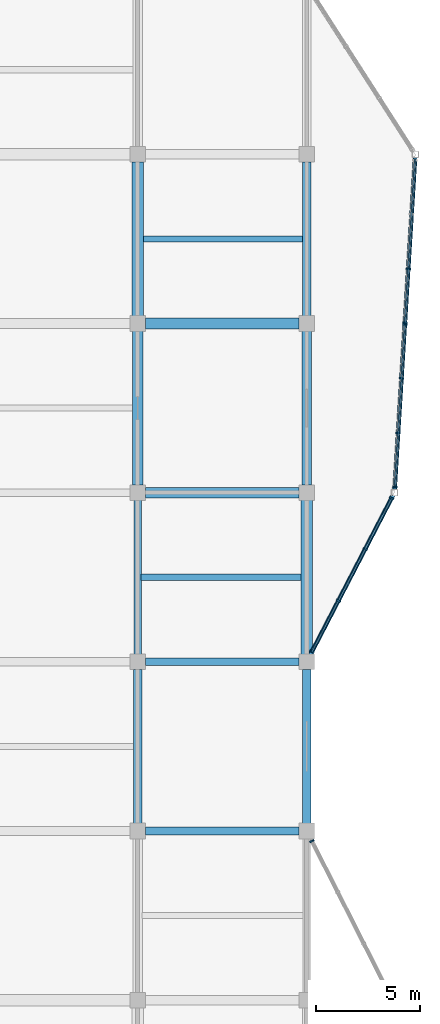
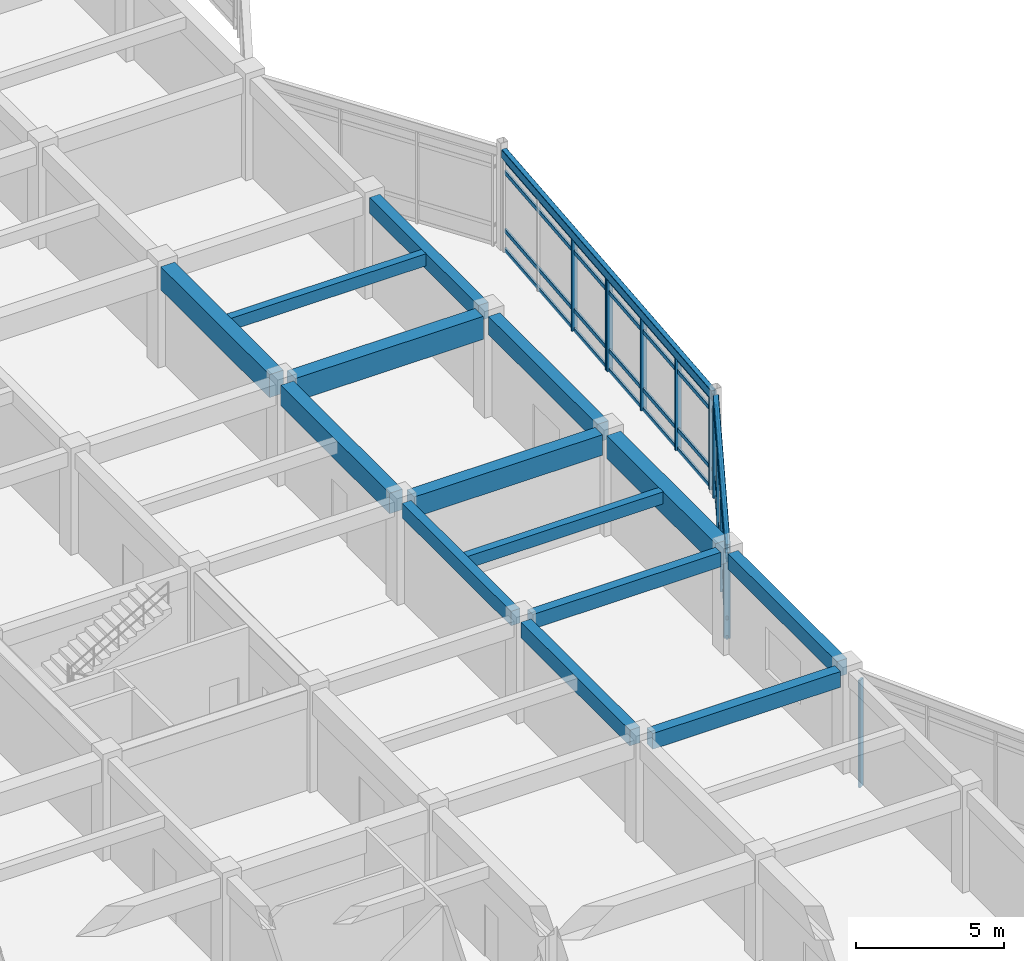
# One storey, part 30 of 70: 23 members, 16 beams, 4 elements without a shape of their own.
"""IFC4 building model written with IfcOpenShell, lengths in metres."""

from ifc_helpers import new_model, si_unit, direction, frame, origin, origin_2d, place, context, subcontext, project, spatial, rectangle, hollow_rectangle, extrude, material, layer, layer_set, material_profile, profile_set, type_object, element, aggregate, save


model = new_model("IFC4")

# Units and contexts
model_context = context("Model", 3, precision=1e-05, world=origin(), true_north=direction((0.0, 1.0)))
body_context = subcontext(model_context, "Body", "Model", "MODEL_VIEW")
ifc_project = project(units=[si_unit("LENGTHUNIT", "METRE"), si_unit("AREAUNIT", "SQUARE_METRE"), si_unit("VOLUMEUNIT", "CUBIC_METRE"), si_unit("PLANEANGLEUNIT", "RADIAN"), si_unit("MASSUNIT", "GRAM", prefix="KILO")], contexts=[model_context])

# Site, building, storey
site_placement = place(None, origin())
site = spatial("IfcSite", under=ifc_project, at=site_placement, CompositionType="ELEMENT")
building_placement = place(site_placement, origin())
building = spatial("IfcBuilding", under=site, at=building_placement, Name="Vaudrelin Polytechnic", CompositionType="ELEMENT")
storey_placement = place(building_placement, frame((0.0, 0.0, 14.110107421875)))
storey = spatial("IfcBuildingStorey", under=building, at=storey_placement, Name="L03", CompositionType="ELEMENT", Elevation=14.110107421875)

# Beams
ifc_material_1 = material(Name="Concrete 40 MPa", Category="concrete")
ifc_material_profile_1 = material_profile(ifc_material_1, rectangle(XDim=0.35009765625, YDim=0.60009765625, at=origin_2d()), Name="RC350x600")
ifc_profile_set_1 = profile_set([ifc_material_profile_1], Name="Concrete 40 MPa")
beam_type_1 = type_object("IfcBeamType", Name="BM-BM-RC3560", PredefinedType="BEAM", material=ifc_profile_set_1)
beam_1_placement = place(storey_placement, frame((162.0, 65.159912109375, 3.85986328125), z_axis=(0.0, 1.0, 0.0), x_axis=(-1.0, 0.0, 0.0)))
element("IfcBeam", 1, at=beam_1_placement, inside=storey, type_object=beam_type_1, Name="L03 Y-beam 21-9", PredefinedType="BEAM", context=body_context, shape_type="SweptSolid", body=[
    extrude(rectangle(XDim=0.35009765625, YDim=0.60009765625, at=origin_2d()), origin(), (0.0, 0.0, 1.0), 7.380126953125),
])
beam_2_placement = place(storey_placement, frame((162.37109375, 64.800048828125, 3.85986328125), z_axis=(1.0, 0.0, 0.0), x_axis=(0.0, 1.0, 0.0)))
element("IfcBeam", 2, at=beam_2_placement, inside=storey, type_object=beam_type_1, Name="L03 X-beam 21-9", PredefinedType="BEAM", context=body_context, shape_type="SweptSolid", body=[
    extrude(rectangle(XDim=0.35009765625, YDim=0.60009765625, at=origin_2d()), origin(), (0.0, 0.0, 1.0), 7.35791015625),
])
ifc_material_profile_2 = material_profile(ifc_material_1, rectangle(XDim=0.39990234375, YDim=0.64990234375, at=origin_2d()), Name="RC400x650")
ifc_profile_set_2 = profile_set([ifc_material_profile_2], Name="Concrete 40 MPa")
beam_type_2 = type_object("IfcBeamType", Name="BM-BM-RC4065", PredefinedType="BEAM", material=ifc_profile_set_2)
for number, where, z_axis, x_axis, name in (
    (3, (162.0, 57.06005859375, 3.8349609375), (0.0, 1.0, 0.0), (-1.0, 0.0, 0.0), "L03 Y-beam 21-8"),
    (4, (170.10009765625, 81.360107421875, 3.8349609375), (0.0, 1.0, 0.0), (-1.0, 0.0, 0.0), "L03 Y-beam 22-11"),
):
    element("IfcBeam", number, at=place(storey_placement, frame(where, z_axis=z_axis, x_axis=x_axis)), inside=storey, type_object=beam_type_2, Name=name, PredefinedType="BEAM", context=body_context, shape_type="SweptSolid", body=[
        extrude(rectangle(XDim=0.39990234375, YDim=0.64990234375, at=origin_2d()), origin(), (0.0, 0.0, 1.0), 7.3798828125),
    ])
beam_3_placement = place(storey_placement, frame((162.37109375, 56.699951171875, 3.8349609375), z_axis=(1.0, 0.0, 0.0), x_axis=(0.0, 1.0, 0.0)))
element("IfcBeam", 5, at=beam_3_placement, inside=storey, type_object=beam_type_2, Name="L03 X-beam 21-8", PredefinedType="BEAM", context=body_context, shape_type="SweptSolid", body=[
    extrude(rectangle(XDim=0.39990234375, YDim=0.64990234375, at=origin_2d()), origin(), (0.0, 0.0, 1.0), 7.35791015625),
])
ifc_material_profile_3 = material_profile(ifc_material_1, rectangle(XDim=0.449951171875, YDim=0.75, at=origin_2d()), Name="RC450x750")
ifc_profile_set_3 = profile_set([ifc_material_profile_3], Name="Concrete 40 MPa")
beam_type_3 = type_object("IfcBeamType", Name="BM-BM-RC4575", PredefinedType="BEAM", material=ifc_profile_set_3)
beam_4_placement = place(storey_placement, frame((170.10009765625, 73.260009765625, 3.784912109375), z_axis=(0.0, 1.0, 0.0), x_axis=(-1.0, 0.0, 0.0)))
element("IfcBeam", 6, at=beam_4_placement, inside=storey, type_object=beam_type_3, Name="L03 Y-beam 22-10", PredefinedType="BEAM", context=body_context, shape_type="SweptSolid", body=[
    extrude(rectangle(XDim=0.449951171875, YDim=0.75, at=origin_2d()), origin(), (0.0, 0.0, 1.0), 7.3798828125),
])
ifc_material_profile_4 = material_profile(ifc_material_1, rectangle(XDim=0.5, YDim=0.85009765625, at=origin_2d()), Name="RC500x850")
ifc_profile_set_4 = profile_set([ifc_material_profile_4], Name="Concrete 40 MPa")
beam_type_4 = type_object("IfcBeamType", Name="BM-BM-RC5085", PredefinedType="BEAM", material=ifc_profile_set_4)
beam_5_placement = place(storey_placement, frame((162.0, 73.260009765625, 3.73486328125), z_axis=(0.0, 1.0, 0.0), x_axis=(-1.0, 0.0, 0.0)))
element("IfcBeam", 7, at=beam_5_placement, inside=storey, type_object=beam_type_4, Name="L03 Y-beam 21-10", PredefinedType="BEAM", context=body_context, shape_type="SweptSolid", body=[
    extrude(rectangle(XDim=0.5, YDim=0.85009765625, at=origin_2d()), origin(), (0.0, 0.0, 1.0), 7.3798828125),
])
beam_6_placement = place(storey_placement, frame((162.37109375, 72.89990234375, 3.73486328125), z_axis=(1.0, 0.0, 0.0), x_axis=(0.0, 1.0, 0.0)))
element("IfcBeam", 8, at=beam_6_placement, inside=storey, type_object=beam_type_4, Name="L03 X-beam 21-10", PredefinedType="BEAM", context=body_context, shape_type="SweptSolid", body=[
    extrude(rectangle(XDim=0.5, YDim=0.85009765625, at=origin_2d()), origin(), (0.0, 0.0, 1.0), 7.35791015625),
])
ifc_material_2 = material(Name="Concrete 50 MPa", Category="concrete")
ifc_material_profile_5 = material_profile(ifc_material_2, rectangle(XDim=0.550048828125, YDim=0.949951171875, at=origin_2d()), Name="RC550x950")
ifc_profile_set_5 = profile_set([ifc_material_profile_5], Name="Concrete 50 MPa")
beam_type_5 = type_object("IfcBeamType", Name="BM-BM-RC5595", PredefinedType="BEAM", material=ifc_profile_set_5)
beam_7_placement = place(storey_placement, frame((162.0, 81.360107421875, 3.684814453125), z_axis=(0.0, 1.0, 0.0), x_axis=(-1.0, 0.0, 0.0)))
element("IfcBeam", 9, at=beam_7_placement, inside=storey, type_object=beam_type_5, Name="L03 Y-beam 21-11", PredefinedType="BEAM", context=body_context, shape_type="SweptSolid", body=[
    extrude(rectangle(XDim=0.550048828125, YDim=0.949951171875, at=origin_2d()), origin(), (0.0, 0.0, 1.0), 7.3798828125),
])
beam_8_placement = place(storey_placement, frame((170.10009765625, 65.159912109375, 3.684814453125), z_axis=(0.0, 1.0, 0.0), x_axis=(-1.0, 0.0, 0.0)))
element("IfcBeam", 10, at=beam_8_placement, inside=storey, type_object=beam_type_5, Name="L03 Y-beam 22-9", PredefinedType="BEAM", context=body_context, shape_type="SweptSolid", body=[
    extrude(rectangle(XDim=0.550048828125, YDim=0.949951171875, at=origin_2d()), origin(), (0.0, 0.0, 1.0), 7.380126953125),
])
beam_9_placement = place(storey_placement, frame((162.37109375, 81.0, 3.684814453125), z_axis=(1.0, 0.0, 0.0), x_axis=(0.0, 1.0, 0.0)))
element("IfcBeam", 11, at=beam_9_placement, inside=storey, type_object=beam_type_5, Name="L03 X-beam 21-11", PredefinedType="BEAM", context=body_context, shape_type="SweptSolid", body=[
    extrude(rectangle(XDim=0.550048828125, YDim=0.949951171875, at=origin_2d()), origin(), (0.0, 0.0, 1.0), 7.35791015625),
])
ifc_material_profile_6 = material_profile(ifc_material_1, rectangle(XDim=0.300048828125, YDim=0.5, at=origin_2d()), Name="RC300x500")
ifc_profile_set_6 = profile_set([ifc_material_profile_6], Name="Concrete 40 MPa")
beam_type_6 = type_object("IfcBeamType", Name="BM-JS-RC3050", PredefinedType="JOIST", material=ifc_profile_set_6)
beam_10_placement = place(storey_placement, frame((162.1708984375, 68.85009765625, 3.909912109375), z_axis=(1.0, 0.0, 0.0), x_axis=(0.0, 1.0, 0.0)))
element("IfcBeam", 12, at=beam_10_placement, inside=storey, type_object=beam_type_6, Name="L03 floor joist 21-9", PredefinedType="JOIST", context=body_context, shape_type="SweptSolid", body=[
    extrude(rectangle(XDim=0.300048828125, YDim=0.5, at=origin_2d()), origin(), (0.0, 0.0, 1.0), 7.658203125),
])
beam_11_placement = place(storey_placement, frame((162.27099609375, 85.050048828125, 3.909912109375), z_axis=(1.0, 0.0, 0.0), x_axis=(0.0, 1.0, 0.0)))
element("IfcBeam", 13, at=beam_11_placement, inside=storey, type_object=beam_type_6, Name="L03 floor joist 21-11", PredefinedType="JOIST", context=body_context, shape_type="SweptSolid", body=[
    extrude(rectangle(XDim=0.300048828125, YDim=0.5, at=origin_2d()), origin(), (0.0, 0.0, 1.0), 7.633056640625),
])
ifc_material_3 = material(Name="Steel CSA G40.21 350WT", Category="steel")
ifc_material_profile_7 = material_profile(ifc_material_3, hollow_rectangle(XDim=0.202880859375, YDim=0.35595703125, WallThickness=0.0126953125, InnerFilletRadius=0.0126953125, OuterFilletRadius=0.025390625, at=origin_2d()), Name="HSS356x203x12.7")
ifc_profile_set_7 = profile_set([ifc_material_profile_7], Name="Steel CSA G40.21 350WT")
beam_type_7 = type_object("IfcBeamType", Name="BM-SP-HSS35", PredefinedType="SPANDREL", material=ifc_profile_set_7)
beam_12_placement = place(storey_placement, frame((170.164306640625, 64.92431640625, 3.98193359375), z_axis=(0.460338114153, 0.887743668329, 0.0), x_axis=(-0.887743668329, 0.460338114153, 0.0)))
element("IfcBeam", 14, at=beam_12_placement, inside=storey, type_object=beam_type_7, Name="Sculptural edge beam L03 E_OR2_B1", PredefinedType="SPANDREL", context=body_context, shape_type="SweptSolid", body=[
    extrude(hollow_rectangle(XDim=0.202880859375, YDim=0.35595703125, WallThickness=0.0126953125, InnerFilletRadius=0.0126953125, OuterFilletRadius=0.025390625, at=origin_2d()), origin(), (0.0, 0.0, 1.0), 8.84423828125),
])
beam_13_placement = place(storey_placement, frame((174.30859375, 73.039794921875, 3.98193359375), z_axis=(0.061621667017, 0.998099579278, 0.0), x_axis=(-0.998099579278, 0.061621667017, 0.0)))
element("IfcBeam", 15, at=beam_13_placement, inside=storey, type_object=beam_type_7, Name="Sculptural edge beam L03 E_OR2_B2", PredefinedType="SPANDREL", context=body_context, shape_type="SweptSolid", body=[
    extrude(hollow_rectangle(XDim=0.202880859375, YDim=0.35595703125, WallThickness=0.0126953125, InnerFilletRadius=0.0126953125, OuterFilletRadius=0.025390625, at=origin_2d()), origin(), (0.0, 0.0, 1.0), 15.95068359375),
])
ifc_material_profile_8 = material_profile(ifc_material_1, rectangle(XDim=0.39990234375, YDim=0.64990234375, at=origin_2d()), Name="RC400x650")
ifc_profile_set_8 = profile_set([ifc_material_profile_8], Name="Concrete 40 MPa")
beam_type_8 = type_object("IfcBeamType", Name="BM-SP-RC4065", PredefinedType="SPANDREL", material=ifc_profile_set_8)
beam_14_placement = place(storey_placement, frame((170.10009765625, 57.06005859375, 3.8349609375), z_axis=(0.0, 1.0, 0.0), x_axis=(-1.0, 0.0, 0.0)))
element("IfcBeam", 16, at=beam_14_placement, inside=storey, type_object=beam_type_8, Name="L03 Y-beam 22-8", PredefinedType="SPANDREL", context=body_context, shape_type="SweptSolid", body=[
    extrude(rectangle(XDim=0.39990234375, YDim=0.64990234375, at=origin_2d()), origin(), (0.0, 0.0, 1.0), 7.3798828125),
])

# Curtain wall, member
ifc_material_4 = material(Name="Thermally broken anodised aluminium AA 6063-T6 and low-e triple glazing", Category="aluminium")
ifc_layer = layer(ifc_material_4, 0.199951171875)
ifc_layer_set = layer_set([ifc_layer], Name="Thermally broken anodised aluminium AA 6063-T6 and low-e triple glazing")
curtain_wall_type = type_object("IfcCurtainWallType", Name="CW-CW-LAB", PredefinedType="USERDEFINED", material=ifc_layer_set)
curtain_wall_1_placement = place(storey_placement, origin())
curtain_wall_1 = element("IfcCurtainWall", 17, at=curtain_wall_1_placement, inside=storey, type_object=curtain_wall_type, Name="Curtain wall L03 E_OR1_3_0", ObjectType="CURTAIN WALL", PredefinedType="USERDEFINED")
ifc_material_5 = material(Name="Anodised aluminium AA 6063-T6", Category="aluminium")
ifc_material_profile_9 = material_profile(ifc_material_5, rectangle(XDim=0.074951171875, YDim=0.219970703125, at=origin_2d()), Name="CWM-75x220")
ifc_profile_set_9 = profile_set([ifc_material_profile_9], Name="Anodised aluminium AA 6063-T6")
member_type_1 = type_object("IfcMemberType", Name="MEM-CWM-220", PredefinedType="MULLION", material=ifc_profile_set_9)
member_1_placement = place(storey_placement, frame((170.34619140625, 56.21337890625, -0.630126953125), z_axis=(0.0, 0.0, 1.0), x_axis=(-0.451608607789, 0.892216153951, 0.0)))
member_1 = element("IfcMember", 18, at=member_1_placement, type_object=member_type_1, Name="E_OR1_3_0 mullion 4", PredefinedType="MULLION", context=body_context, shape_type="SweptSolid", body=[
    extrude(rectangle(XDim=0.074951171875, YDim=0.219970703125, at=origin_2d()), origin(), (0.0, 0.0, 1.0), 4.43994140625),
])
aggregate(curtain_wall_1, [member_1])

# Curtain wall, members
curtain_wall_2_placement = place(storey_placement, origin())
curtain_wall_2 = element("IfcCurtainWall", 19, at=curtain_wall_2_placement, inside=storey, type_object=curtain_wall_type, Name="Curtain wall L03 E_OR2_1_0", ObjectType="CURTAIN WALL", PredefinedType="USERDEFINED")
member_2_placement = place(storey_placement, frame((170.35205078125, 65.285888671875, 0.0), z_axis=(0.0, 0.0, 1.0), x_axis=(0.460318561093, 0.887753807265, 0.0)))
member_2 = element("IfcMember", 20, at=member_2_placement, type_object=member_type_1, Name="E_OR2_1_0 mullion 1", PredefinedType="MULLION", context=body_context, shape_type="SweptSolid", body=[
    extrude(rectangle(XDim=0.074951171875, YDim=0.219970703125, at=origin_2d()), origin(), (0.0, 0.0, 1.0), 3.809814453125),
])
member_3_placement = place(storey_placement, frame((171.6162109375, 67.724365234375, 0.0), z_axis=(0.0, 0.0, 1.0), x_axis=(0.460318561093, 0.887753807265, 0.0)))
member_3 = element("IfcMember", 21, at=member_3_placement, type_object=member_type_1, Name="E_OR2_1_0 mullion 2", PredefinedType="MULLION", context=body_context, shape_type="SweptSolid", body=[
    extrude(rectangle(XDim=0.074951171875, YDim=0.219970703125, at=origin_2d()), origin(), (0.0, 0.0, 1.0), 3.809814453125),
])
member_4_placement = place(storey_placement, frame((172.899169921875, 70.1982421875, 0.0), z_axis=(0.0, 0.0, 1.0), x_axis=(0.460318561093, 0.887753807265, 0.0)))
member_4 = element("IfcMember", 22, at=member_4_placement, type_object=member_type_1, Name="E_OR2_1_0 mullion 3", PredefinedType="MULLION", context=body_context, shape_type="SweptSolid", body=[
    extrude(rectangle(XDim=0.074951171875, YDim=0.219970703125, at=origin_2d()), origin(), (0.0, 0.0, 1.0), 3.809814453125),
])
member_5_placement = place(storey_placement, frame((174.163330078125, 72.636474609375, 0.0), z_axis=(0.0, 0.0, 1.0), x_axis=(0.460318561093, 0.887753807265, 0.0)))
member_5 = element("IfcMember", 23, at=member_5_placement, type_object=member_type_1, Name="E_OR2_1_0 mullion 4", PredefinedType="MULLION", context=body_context, shape_type="SweptSolid", body=[
    extrude(rectangle(XDim=0.074951171875, YDim=0.219970703125, at=origin_2d()), origin(), (0.0, 0.0, 1.0), 3.809814453125),
])

curtain_wall_3_placement = place(storey_placement, origin())
curtain_wall_3 = element("IfcCurtainWall", 24, at=curtain_wall_3_placement, inside=storey, type_object=curtain_wall_type, Name="Curtain wall L03 E_OR2_2_0", ObjectType="CURTAIN WALL", PredefinedType="USERDEFINED")
member_6_placement = place(storey_placement, frame((174.317138671875, 73.17724609375, 0.0), z_axis=(0.0, 0.0, 1.0), x_axis=(0.061604568165, 0.998100634797, 0.0)))
member_6 = element("IfcMember", 25, at=member_6_placement, type_object=member_type_1, Name="E_OR2_2_0 mullion 1", PredefinedType="MULLION", context=body_context, shape_type="SweptSolid", body=[
    extrude(rectangle(XDim=0.074951171875, YDim=0.219970703125, at=origin_2d()), origin(), (0.0, 0.0, 1.0), 3.809814453125),
])
member_7_placement = place(storey_placement, frame((174.4765625, 75.75830078125, 0.0), z_axis=(0.0, 0.0, 1.0), x_axis=(0.061604568165, 0.998100634797, 0.0)))
member_7 = element("IfcMember", 26, at=member_7_placement, type_object=member_type_1, Name="E_OR2_2_0 mullion 2", PredefinedType="MULLION", context=body_context, shape_type="SweptSolid", body=[
    extrude(rectangle(XDim=0.074951171875, YDim=0.219970703125, at=origin_2d()), origin(), (0.0, 0.0, 1.0), 3.809814453125),
])
member_8_placement = place(storey_placement, frame((174.63818359375, 78.379150390625, 0.0), z_axis=(0.0, 0.0, 1.0), x_axis=(0.061604568165, 0.998100634797, 0.0)))
member_8 = element("IfcMember", 27, at=member_8_placement, type_object=member_type_1, Name="E_OR2_2_0 mullion 3", PredefinedType="MULLION", context=body_context, shape_type="SweptSolid", body=[
    extrude(rectangle(XDim=0.074951171875, YDim=0.219970703125, at=origin_2d()), origin(), (0.0, 0.0, 1.0), 3.809814453125),
])
member_9_placement = place(storey_placement, frame((174.797607421875, 80.960205078125, 0.0), z_axis=(0.0, 0.0, 1.0), x_axis=(0.061604568165, 0.998100634797, 0.0)))
member_9 = element("IfcMember", 28, at=member_9_placement, type_object=member_type_1, Name="E_OR2_2_0 mullion 4", PredefinedType="MULLION", context=body_context, shape_type="SweptSolid", body=[
    extrude(rectangle(XDim=0.074951171875, YDim=0.219970703125, at=origin_2d()), origin(), (0.0, 0.0, 1.0), 3.809814453125),
])

curtain_wall_4_placement = place(storey_placement, origin())
curtain_wall_4 = element("IfcCurtainWall", 29, at=curtain_wall_4_placement, inside=storey, type_object=curtain_wall_type, Name="Curtain wall L03 E_OR2_2_1", ObjectType="CURTAIN WALL", PredefinedType="USERDEFINED")
member_10_placement = place(storey_placement, frame((174.802490234375, 81.039794921875, 0.0), z_axis=(0.0, 0.0, 1.0), x_axis=(0.061604568165, 0.998100634797, 0.0)))
member_10 = element("IfcMember", 30, at=member_10_placement, type_object=member_type_1, Name="E_OR2_2_1 mullion 1", PredefinedType="MULLION", context=body_context, shape_type="SweptSolid", body=[
    extrude(rectangle(XDim=0.074951171875, YDim=0.219970703125, at=origin_2d()), origin(), (0.0, 0.0, 1.0), 3.809814453125),
])
member_11_placement = place(storey_placement, frame((174.9619140625, 83.620849609375, 0.0), z_axis=(0.0, 0.0, 1.0), x_axis=(0.061604568165, 0.998100634797, 0.0)))
member_11 = element("IfcMember", 31, at=member_11_placement, type_object=member_type_1, Name="E_OR2_2_1 mullion 2", PredefinedType="MULLION", context=body_context, shape_type="SweptSolid", body=[
    extrude(rectangle(XDim=0.074951171875, YDim=0.219970703125, at=origin_2d()), origin(), (0.0, 0.0, 1.0), 3.809814453125),
])

# Member
ifc_material_profile_10 = material_profile(ifc_material_5, rectangle(XDim=0.074951171875, YDim=0.1650390625, at=origin_2d()), Name="CWT-75x165")
ifc_profile_set_10 = profile_set([ifc_material_profile_10], Name="Anodised aluminium AA 6063-T6")
member_type_2 = type_object("IfcMemberType", Name="MEM-CWT-165", PredefinedType="USERDEFINED", material=ifc_profile_set_10)
member_12_placement = place(storey_placement, frame((170.33349609375, 65.25048828125, 0.0498046875), z_axis=(0.460329950671, 0.887747901442, 0.0), x_axis=(-0.887747901442, 0.460329950671, 0.0)))
member_12 = element("IfcMember", 32, at=member_12_placement, type_object=member_type_2, Name="E_OR2_1_0 transom 1", ObjectType="TRANSOM", PredefinedType="USERDEFINED", context=body_context, shape_type="SweptSolid", body=[
    extrude(rectangle(XDim=0.074951171875, YDim=0.1650390625, at=origin_2d()), origin(), (0.0, 0.0, 1.0), 8.360107421875),
])

member_13_placement = place(storey_placement, frame((170.33349609375, 65.25048828125, 0.849853515625), z_axis=(0.460329950671, 0.887747901442, 0.0), x_axis=(-0.887747901442, 0.460329950671, 0.0)))
member_13 = element("IfcMember", 33, at=member_13_placement, type_object=member_type_2, Name="E_OR2_1_0 transom 2", ObjectType="TRANSOM", PredefinedType="USERDEFINED", context=body_context, shape_type="SweptSolid", body=[
    extrude(rectangle(XDim=0.074951171875, YDim=0.1650390625, at=origin_2d()), origin(), (0.0, 0.0, 1.0), 8.360107421875),
])

member_14_placement = place(storey_placement, frame((170.33349609375, 65.25048828125, 3.260009765625), z_axis=(0.460329950671, 0.887747901442, 0.0), x_axis=(-0.887747901442, 0.460329950671, 0.0)))
member_14 = element("IfcMember", 34, at=member_14_placement, type_object=member_type_2, Name="E_OR2_1_0 transom 3", ObjectType="TRANSOM", PredefinedType="USERDEFINED", context=body_context, shape_type="SweptSolid", body=[
    extrude(rectangle(XDim=0.074951171875, YDim=0.1650390625, at=origin_2d()), origin(), (0.0, 0.0, 1.0), 8.360107421875),
])

member_15_placement = place(storey_placement, frame((170.33349609375, 65.25048828125, 3.760009765625), z_axis=(0.460329950671, 0.887747901442, 0.0), x_axis=(-0.887747901442, 0.460329950671, 0.0)))
member_15 = element("IfcMember", 35, at=member_15_placement, type_object=member_type_2, Name="E_OR2_1_0 transom 4", ObjectType="TRANSOM", PredefinedType="USERDEFINED", context=body_context, shape_type="SweptSolid", body=[
    extrude(rectangle(XDim=0.074951171875, YDim=0.1650390625, at=origin_2d()), origin(), (0.0, 0.0, 1.0), 8.360107421875),
])

aggregate(curtain_wall_2, [member_2, member_3, member_4, member_5, member_12, member_13, member_14, member_15])

member_16_placement = place(storey_placement, frame((174.314697265625, 73.13720703125, 0.0498046875), z_axis=(0.061610363004, 0.998100277112, 0.0), x_axis=(-0.998100277112, 0.061610363004, 0.0)))
member_16 = element("IfcMember", 36, at=member_16_placement, type_object=member_type_2, Name="E_OR2_2_0 transom 1", ObjectType="TRANSOM", PredefinedType="USERDEFINED", context=body_context, shape_type="SweptSolid", body=[
    extrude(rectangle(XDim=0.074951171875, YDim=0.1650390625, at=origin_2d()), origin(), (0.0, 0.0, 1.0), 7.877685546875),
])

member_17_placement = place(storey_placement, frame((174.314697265625, 73.13720703125, 0.849853515625), z_axis=(0.061610363004, 0.998100277112, 0.0), x_axis=(-0.998100277112, 0.061610363004, 0.0)))
member_17 = element("IfcMember", 37, at=member_17_placement, type_object=member_type_2, Name="E_OR2_2_0 transom 2", ObjectType="TRANSOM", PredefinedType="USERDEFINED", context=body_context, shape_type="SweptSolid", body=[
    extrude(rectangle(XDim=0.074951171875, YDim=0.1650390625, at=origin_2d()), origin(), (0.0, 0.0, 1.0), 7.877685546875),
])

member_18_placement = place(storey_placement, frame((174.314697265625, 73.13720703125, 3.260009765625), z_axis=(0.061610363004, 0.998100277112, 0.0), x_axis=(-0.998100277112, 0.061610363004, 0.0)))
member_18 = element("IfcMember", 38, at=member_18_placement, type_object=member_type_2, Name="E_OR2_2_0 transom 3", ObjectType="TRANSOM", PredefinedType="USERDEFINED", context=body_context, shape_type="SweptSolid", body=[
    extrude(rectangle(XDim=0.074951171875, YDim=0.1650390625, at=origin_2d()), origin(), (0.0, 0.0, 1.0), 7.877685546875),
])

member_19_placement = place(storey_placement, frame((174.314697265625, 73.13720703125, 3.760009765625), z_axis=(0.061610363004, 0.998100277112, 0.0), x_axis=(-0.998100277112, 0.061610363004, 0.0)))
member_19 = element("IfcMember", 39, at=member_19_placement, type_object=member_type_2, Name="E_OR2_2_0 transom 4", ObjectType="TRANSOM", PredefinedType="USERDEFINED", context=body_context, shape_type="SweptSolid", body=[
    extrude(rectangle(XDim=0.074951171875, YDim=0.1650390625, at=origin_2d()), origin(), (0.0, 0.0, 1.0), 7.877685546875),
])

aggregate(curtain_wall_3, [member_6, member_7, member_8, member_9, member_16, member_17, member_18, member_19])

member_20_placement = place(storey_placement, frame((174.800048828125, 81.0, 0.0498046875), z_axis=(0.061610363004, 0.998100277112, 0.0), x_axis=(-0.998100277112, 0.061610363004, 0.0)))
member_20 = element("IfcMember", 40, at=member_20_placement, type_object=member_type_2, Name="E_OR2_2_1 transom 1", ObjectType="TRANSOM", PredefinedType="USERDEFINED", context=body_context, shape_type="SweptSolid", body=[
    extrude(rectangle(XDim=0.074951171875, YDim=0.1650390625, at=origin_2d()), origin(), (0.0, 0.0, 1.0), 7.877685546875),
])

member_21_placement = place(storey_placement, frame((174.800048828125, 81.0, 0.849853515625), z_axis=(0.061610363004, 0.998100277112, 0.0), x_axis=(-0.998100277112, 0.061610363004, 0.0)))
member_21 = element("IfcMember", 41, at=member_21_placement, type_object=member_type_2, Name="E_OR2_2_1 transom 2", ObjectType="TRANSOM", PredefinedType="USERDEFINED", context=body_context, shape_type="SweptSolid", body=[
    extrude(rectangle(XDim=0.074951171875, YDim=0.1650390625, at=origin_2d()), origin(), (0.0, 0.0, 1.0), 7.877685546875),
])

member_22_placement = place(storey_placement, frame((174.800048828125, 81.0, 3.260009765625), z_axis=(0.061610363004, 0.998100277112, 0.0), x_axis=(-0.998100277112, 0.061610363004, 0.0)))
member_22 = element("IfcMember", 42, at=member_22_placement, type_object=member_type_2, Name="E_OR2_2_1 transom 3", ObjectType="TRANSOM", PredefinedType="USERDEFINED", context=body_context, shape_type="SweptSolid", body=[
    extrude(rectangle(XDim=0.074951171875, YDim=0.1650390625, at=origin_2d()), origin(), (0.0, 0.0, 1.0), 7.877685546875),
])

member_23_placement = place(storey_placement, frame((174.800048828125, 81.0, 3.760009765625), z_axis=(0.061610363004, 0.998100277112, 0.0), x_axis=(-0.998100277112, 0.061610363004, 0.0)))
member_23 = element("IfcMember", 43, at=member_23_placement, type_object=member_type_2, Name="E_OR2_2_1 transom 4", ObjectType="TRANSOM", PredefinedType="USERDEFINED", context=body_context, shape_type="SweptSolid", body=[
    extrude(rectangle(XDim=0.074951171875, YDim=0.1650390625, at=origin_2d()), origin(), (0.0, 0.0, 1.0), 7.877685546875),
])

aggregate(curtain_wall_4, [member_10, member_11, member_20, member_21, member_22, member_23])

save(model, "model.ifc")
